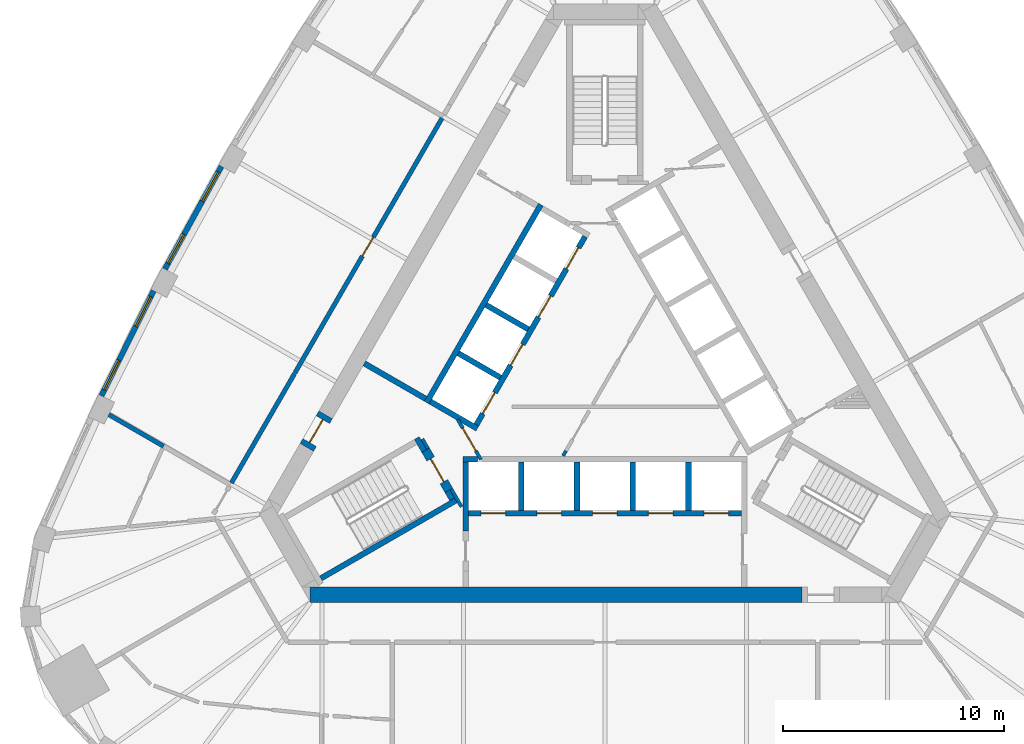
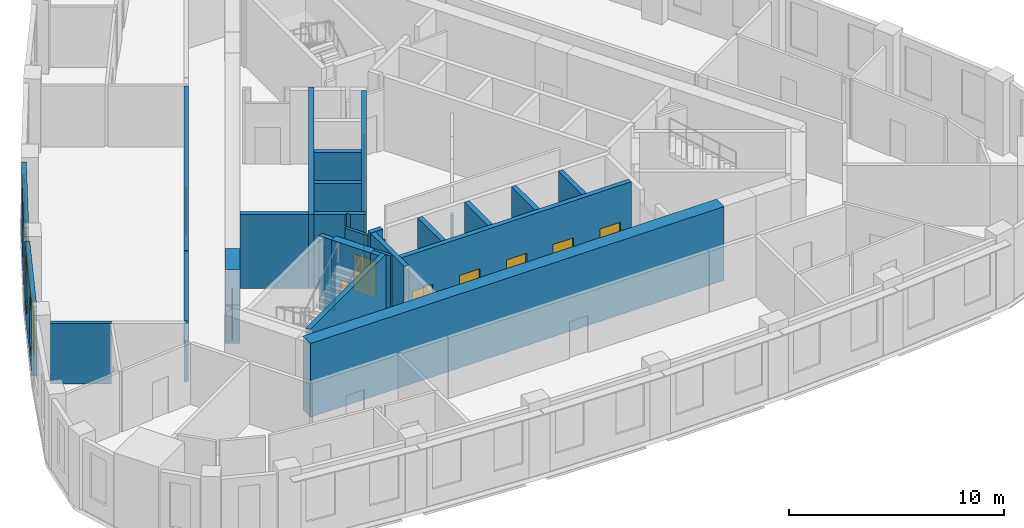
# One storey, part 4 of 10: 28 walls, 13 doors, 4 windows, 17 openings.
"""IFC4 building model written with IfcOpenShell, lengths in metres."""

import ifcopenshell
import ifcopenshell.guid

model = None  # the IFC model being written
_history = None  # IfcOwnerHistory: only IFC2X3 demands one
_inside = {}  # id of a spatial element -> (the spatial element, [elements in it])
_under = {}  # id of a project, library or spatial element -> (it, [spatial elements below it])
_declared = {}  # id of a project -> (the project, [libraries it declares])
_typed = {}  # id of a type object -> (the type object, [elements of that type])
_made_of = {}  # id of a material, layer set ... -> (it, [elements and type objects made of it])


def new_model(schema):
    """Start an empty IFC model of exactly this schema.

    Asked for "IFC4X3", IfcOpenShell would pick the latest addendum, in which some entities
    have other attributes; the version numbers below select the first issue.
    IFC2X3 requires an IfcOwnerHistory on every rooted entity: one is made here for all.
    """
    global model, _history
    if schema == "IFC4X3":
        model = ifcopenshell.file(schema_version=(4, 3, 0, 0))
    else:
        model = ifcopenshell.file(schema=schema)
    _inside.clear()
    _under.clear()
    _declared.clear()
    _typed.clear()
    _made_of.clear()
    _history = None
    if model.schema == "IFC2X3":
        org = make("IfcOrganization", Name="unknown")
        user = make(
            "IfcPersonAndOrganization",
            ThePerson=make("IfcPerson", FamilyName="unknown"),
            TheOrganization=org,
        )
        app = make(
            "IfcApplication",
            ApplicationDeveloper=org,
            Version="unknown",
            ApplicationFullName="unknown",
            ApplicationIdentifier="unknown",
        )
        _history = make(
            "IfcOwnerHistory",
            OwningUser=user,
            OwningApplication=app,
            ChangeAction="ADDED",
            CreationDate=0,
        )
    return model


def make(cls, **values):
    """One entity of the class cls with the attributes given. An attribute that is None is left unset."""
    return model.create_entity(
        cls, **{name: value for name, value in values.items() if value is not None}
    )


def rooted(cls, **values):
    """An entity with a GlobalId (a new one), such as an element, a storey or a relation."""
    return make(cls, GlobalId=ifcopenshell.guid.new(), OwnerHistory=_history, **values)


def si_unit(unit_type, name, prefix=None):
    """IfcSIUnit, for example si_unit("LENGTHUNIT", "METRE", prefix="MILLI")."""
    return make("IfcSIUnit", UnitType=unit_type, Prefix=prefix, Name=name)


def assignment(units):
    """IfcUnitAssignment: the units of a project."""
    return None if units is None else make("IfcUnitAssignment", Units=units)


def point(xyz):
    """IfcCartesianPoint."""
    return None if xyz is None else make("IfcCartesianPoint", Coordinates=xyz)


def direction(xyz):
    """IfcDirection."""
    return None if xyz is None else make("IfcDirection", DirectionRatios=xyz)


def frame(location, z_axis=None, x_axis=None):
    """IfcAxis2Placement3D, a coordinate frame: its origin and axes. An axis left out is left unset."""
    return make(
        "IfcAxis2Placement3D",
        Location=point(location),
        Axis=direction(z_axis),
        RefDirection=direction(x_axis),
    )


def frame_2d(location, x_axis=None):
    """IfcAxis2Placement2D, a coordinate frame in the plane: its origin and x axis."""
    return make(
        "IfcAxis2Placement2D", Location=point(location), RefDirection=direction(x_axis)
    )


def origin():
    """The frame at (0, 0, 0) with its axes left unset."""
    return frame((0.0, 0.0, 0.0))


def place(relative_to, where):
    """IfcLocalPlacement: puts the frame where relative to a parent placement (None: the world)."""
    return make(
        "IfcLocalPlacement", PlacementRelTo=relative_to, RelativePlacement=where
    )


def context(
    kind, dimensions, precision=None, world=None, true_north=None, identifier=None
):
    """IfcGeometricRepresentationContext, for example the 3D "Model" context."""
    return make(
        "IfcGeometricRepresentationContext",
        ContextIdentifier=identifier,
        ContextType=kind,
        CoordinateSpaceDimension=dimensions,
        Precision=precision,
        WorldCoordinateSystem=world,
        TrueNorth=true_north,
    )


def subcontext(parent, identifier, kind, view, scale=None):
    """IfcGeometricRepresentationSubContext, for example "Body" below "Model"."""
    return make(
        "IfcGeometricRepresentationSubContext",
        ContextIdentifier=identifier,
        ContextType=kind,
        ParentContext=parent,
        TargetScale=scale,
        TargetView=view,
    )


def project(units=None, contexts=None):
    """IfcProject with its units and contexts."""
    return rooted(
        "IfcProject",
        Name="project",
        RepresentationContexts=contexts,
        UnitsInContext=assignment(units),
    )


def spatial(cls, under=None, at=None, **own):
    """A site, building, storey or space (cls), placed at a placement, below another one or the project."""
    s = rooted(cls, ObjectPlacement=at, **own)
    if under is not None:
        _under.setdefault(under.id(), (under, []))[1].append(s)
    return s


def polyline(points):
    """IfcPolyline through the points."""
    return make("IfcPolyline", Points=[point(p) for p in points])


def profile(cls, at=None, kind="AREA", **sizes):
    """A parametric profile (cls). Its sizes go by their IFC names, for example OverallWidth=200.0."""
    return make(cls, ProfileType=kind, Position=at, **sizes)


def rectangle(**sizes):
    """IfcRectangleProfileDef."""
    return profile("IfcRectangleProfileDef", **sizes)


def outline(outer, holes=None, kind="AREA"):
    """IfcArbitraryClosedProfileDef: a profile drawn as a closed curve; with holes, ...WithVoids."""
    if holes is None:
        return make("IfcArbitraryClosedProfileDef", ProfileType=kind, OuterCurve=outer)
    return make(
        "IfcArbitraryProfileDefWithVoids",
        ProfileType=kind,
        OuterCurve=outer,
        InnerCurves=holes,
    )


def extrude(swept, where, along, depth):
    """IfcExtrudedAreaSolid: the profile swept, set in the frame where, extruded along a direction by depth."""
    return make(
        "IfcExtrudedAreaSolid",
        SweptArea=swept,
        Position=where,
        ExtrudedDirection=direction(along),
        Depth=depth,
    )


def shape(context_of_items, identifier, shape_type, items):
    """IfcShapeRepresentation: the items that make up one representation, for example the "Body"."""
    return make(
        "IfcShapeRepresentation",
        ContextOfItems=context_of_items,
        RepresentationIdentifier=identifier,
        RepresentationType=shape_type,
        Items=items,
    )


def material(Name=None, Category=None):
    """IfcMaterial."""
    return make("IfcMaterial", Name=Name, Category=Category)


def layer(
    of_material, thickness, ventilated=None, Name=None, Category=None, Priority=None
):
    """IfcMaterialLayer: one layer of a wall or slab, of a material (None: an air gap)."""
    return make(
        "IfcMaterialLayer",
        Material=of_material,
        LayerThickness=thickness,
        IsVentilated=ventilated,
        Name=Name,
        Category=Category,
        Priority=Priority,
    )


def layer_set(layers, Name=None):
    """IfcMaterialLayerSet."""
    return make("IfcMaterialLayerSet", MaterialLayers=layers, LayerSetName=Name)


def made_of(thing, what):
    """Note that an element or type object is made of a material, layer set ...; save() writes the relation."""
    if what is not None:
        _made_of.setdefault(what.id(), (what, []))[1].append(thing)
    return thing


def type_object(cls, material=None, **own):
    """A type object (cls), such as IfcWallType, which elements share."""
    return made_of(rooted(cls, **own), material)


def element(
    cls,
    number,
    at=None,
    inside=None,
    cuts=None,
    type_object=None,
    material=None,
    context=None,
    identifier="Body",
    shape_type=None,
    held_by="IfcProductDefinitionShape",
    body=None,
    shapes=None,
    **own,
):
    """One element of the class cls, such as IfcWall. Its Tag is "e" and its number.

    at: its placement. inside: the storey or other place that contains it. cuts: it is an
    opening in that element (IfcRelVoidsElement). A single representation is given by context,
    identifier, shape_type and body (its items); several are given by shapes. held_by: the class
    of the entity that holds the representations. save() writes the other relations.
    """
    e = rooted(cls, Tag="e%d" % number, ObjectPlacement=at, **own)
    if body is not None:
        shapes = [shape(context, identifier, shape_type, body)]
    if shapes is not None:
        e.Representation = make(held_by, Representations=shapes)
    if inside is not None:
        _inside.setdefault(inside.id(), (inside, []))[1].append(e)
    if cuts is not None:
        rooted(
            "IfcRelVoidsElement", RelatingBuildingElement=cuts, RelatedOpeningElement=e
        )
    if type_object is not None:
        _typed.setdefault(type_object.id(), (type_object, []))[1].append(e)
    return made_of(e, material)


def fill(opening, filler):
    """IfcRelFillsElement: the door or window that sits in an opening."""
    return rooted(
        "IfcRelFillsElement",
        RelatingOpeningElement=opening,
        RelatedBuildingElement=filler,
    )


def aggregate(whole, parts):
    """IfcRelAggregates: a whole, such as a stair, and the parts it consists of."""
    return rooted("IfcRelAggregates", RelatingObject=whole, RelatedObjects=parts)


def save(model, path):
    """Write the relations noted so far, then the file.

    IfcRelAggregates (storeys below a building ...), IfcRelContainedInSpatialStructure (elements
    in a storey), IfcRelDefinesByType, IfcRelAssociatesMaterial and IfcRelDeclares: one each for
    every whole, place, type object, material and project.
    """
    for whole, parts in _under.values():
        aggregate(whole, parts)
    for where, things in _inside.values():
        rooted(
            "IfcRelContainedInSpatialStructure",
            RelatedElements=things,
            RelatingStructure=where,
        )
    for kind, things in _typed.values():
        rooted("IfcRelDefinesByType", RelatedObjects=things, RelatingType=kind)
    for what, things in _made_of.values():
        rooted("IfcRelAssociatesMaterial", RelatedObjects=things, RelatingMaterial=what)
    for by, libraries in _declared.values():
        rooted("IfcRelDeclares", RelatingContext=by, RelatedDefinitions=libraries)
    model.write(path)


model = new_model("IFC4")

# Units and contexts
model_context = context("Model", 3, precision=1e-05, world=origin(), true_north=direction((0.0, 1.0)))
body_context = subcontext(model_context, "Body", "Model", "MODEL_VIEW")
ifc_project = project(units=[si_unit("LENGTHUNIT", "METRE"), si_unit("AREAUNIT", "SQUARE_METRE"), si_unit("VOLUMEUNIT", "CUBIC_METRE"), si_unit("PLANEANGLEUNIT", "RADIAN"), si_unit("MASSUNIT", "GRAM", prefix="KILO")], contexts=[model_context])

# Site, building, storey
site_placement = place(None, origin())
site = spatial("IfcSite", under=ifc_project, at=site_placement, CompositionType="ELEMENT")
building_placement = place(site_placement, origin())
building = spatial("IfcBuilding", under=site, at=building_placement, Name="Mestral Congress Tower", CompositionType="ELEMENT")
storey_placement = place(building_placement, frame((0.0, 0.0, 243.60009765625)))
storey = spatial("IfcBuildingStorey", under=building, at=storey_placement, Name="L57", CompositionType="ELEMENT", Elevation=243.60009765625)

# Walls
ifc_material_1 = material(Name="Fire-rated board partition")
ifc_layer_1 = layer(ifc_material_1, 0.14990234375)
ifc_layer_set_1 = layer_set([ifc_layer_1], Name="Fire-rated board partition")
wall_type_1 = type_object("IfcWallType", Name="Core partition 150", PredefinedType="PARTITIONING", material=ifc_layer_set_1)
wall_1_placement = place(storey_placement, frame((-8.251953125, -2.958251953125, 0.0), z_axis=(0.0, 0.0, 1.0), x_axis=(0.500174715838, -0.865924508047, 0.0)))
element("IfcWall", 1, at=wall_1_placement, inside=storey, type_object=wall_type_1, Name="L57 core wall", PredefinedType="PARTITIONING", context=body_context, shape_type="SweptSolid", body=[
    extrude(rectangle(XDim=0.513916015625, YDim=0.14990234375, at=frame_2d((0.2568359375, 0.0))), origin(), (0.0, 0.0, 1.0), 3.449951171875),
])
wall_2_placement = place(storey_placement, frame((-1.886962890625, -3.71826171875, 0.0), z_axis=(0.0, 0.0, 1.0), x_axis=(0.500165633897, 0.865929753888, 0.0)))
element("IfcWall", 2, at=wall_2_placement, inside=storey, type_object=wall_type_1, Name="L57 core wall", PredefinedType="PARTITIONING", context=body_context, shape_type="SweptSolid", body=[
    extrude(rectangle(XDim=0.25439453125, YDim=0.14990234375, at=frame_2d((0.127197265625, 0.0))), origin(), (0.0, 0.0, 1.0), 3.449951171875),
])

# Wall, opening, door
wall_3_placement = place(storey_placement, frame((-5.606201171875, -3.8896484375, 0.0), z_axis=(0.0, 0.0, 1.0), x_axis=(-0.500027713859, 0.866009402589, 0.0)))
wall_3 = element("IfcWall", 3, at=wall_3_placement, inside=storey, type_object=wall_type_1, Name="L57 door wall", PredefinedType="PARTITIONING", context=body_context, shape_type="SweptSolid", body=[
    extrude(rectangle(XDim=2.10009765625, YDim=0.14990234375, at=frame_2d((1.050048828125, 0.0))), origin(), (0.0, 0.0, 1.0), 3.449951171875),
])
opening_1_placement = place(wall_3_placement, frame((0.449951171875, 0.0, 0.0)))
opening_1 = element("IfcOpeningElement", 4, at=opening_1_placement, cuts=wall_3, Name="Opening CD3-FF", PredefinedType="OPENING", context=body_context, shape_type="SweptSolid", body=[
    extrude(rectangle(XDim=1.199951171875, YDim=2.10009765625, at=frame_2d((0.60009765625, 1.050048828125))), frame((0.0, 0.0849609375, 0.0), z_axis=(0.0, -1.0, 0.0), x_axis=(1.0, 0.0, 0.0)), (0.0, 0.0, 1.0), 0.169921875),
])
ifc_material_2 = material(Name="Fire-rated steel door set", Category="steel")
door_type_1 = type_object("IfcDoorType", Name="Core door CD 1200x2100", OperationType="SINGLE_SWING_LEFT", PredefinedType="DOOR", material=ifc_material_2)
door_1_placement = place(opening_1_placement, origin())
door_1 = element("IfcDoor", 5, at=door_1_placement, inside=storey, type_object=door_type_1, Name="Door CD3-FF", OperationType="SINGLE_SWING_LEFT", OverallHeight=2.10009765625, OverallWidth=1.199951171875, PredefinedType="DOOR", context=body_context, shape_type="SweptSolid", body=[
    extrude(rectangle(XDim=1.199951171875, YDim=2.10009765625, at=frame_2d((0.60009765625, 1.050048828125))), frame((0.0, 0.02490234375, 0.0), z_axis=(0.0, -1.0, 0.0), x_axis=(1.0, 0.0, 0.0)), (0.0, 0.0, 1.0), 0.050048828125),
])
fill(opening_1, door_1)

# Wall
ifc_material_3 = material(Name="Concrete C60/75", Category="concrete")
ifc_layer_2 = layer(ifc_material_3, 0.699951171875)
ifc_layer_set_2 = layer_set([ifc_layer_2], Name="Concrete C60/75")
wall_type_2 = type_object("IfcWallType", Name="Core wall RC 700", PredefinedType="SOLIDWALL", material=ifc_layer_set_2)
wall_4_placement = place(storey_placement, frame((8.904296875, -10.0, 0.0), z_axis=(0.0, 0.0, 1.0), x_axis=(-1.0, 0.0, 0.0)))
element("IfcWall", 6, at=wall_4_placement, inside=storey, type_object=wall_type_2, Name="L57 core wall", PredefinedType="SOLIDWALL", context=body_context, shape_type="SweptSolid", body=[
    extrude(rectangle(XDim=22.226318359375, YDim=0.699951171875, at=frame_2d((11.11328125, 0.0))), origin(), (0.0, 0.0, 1.0), 4.199951171875),
])

# Wall, opening, door
wall_5_placement = place(storey_placement, frame((-13.474853515625, -3.339111328125, 0.0), z_axis=(0.0, 0.0, 1.0), x_axis=(0.499954529098, 0.86605165483, 0.0)))
wall_5 = element("IfcWall", 7, at=wall_5_placement, inside=storey, type_object=wall_type_2, Name="L57 door wall", PredefinedType="SOLIDWALL", context=body_context, shape_type="SweptSolid", body=[
    extrude(rectangle(XDim=1.699951171875, YDim=0.699951171875, at=frame_2d((0.85009765625, 0.0))), origin(), (0.0, 0.0, 1.0), 4.199951171875),
])
opening_2_placement = place(wall_5_placement, frame((0.25, 0.0, 0.0)))
opening_2 = element("IfcOpeningElement", 8, at=opening_2_placement, cuts=wall_5, Name="Opening XD3", PredefinedType="OPENING", context=body_context, shape_type="SweptSolid", body=[
    extrude(rectangle(XDim=1.199951171875, YDim=2.10009765625, at=frame_2d((0.60009765625, 1.050048828125))), frame((0.0, 0.35986328125, 0.0), z_axis=(0.0, -1.0, 0.0), x_axis=(1.0, 0.0, 0.0)), (0.0, 0.0, 1.0), 0.719970703125),
])
door_type_2 = type_object("IfcDoorType", Name="Core door XD 1200x2100", OperationType="SINGLE_SWING_LEFT", PredefinedType="DOOR", material=ifc_material_2)
door_2_placement = place(opening_2_placement, origin())
door_2 = element("IfcDoor", 9, at=door_2_placement, inside=storey, type_object=door_type_2, Name="Door XD3", OperationType="SINGLE_SWING_LEFT", OverallHeight=2.10009765625, OverallWidth=1.199951171875, PredefinedType="DOOR", context=body_context, shape_type="SweptSolid", body=[
    extrude(rectangle(XDim=1.199951171875, YDim=2.10009765625, at=frame_2d((0.60009765625, 1.050048828125))), frame((0.0, 0.02490234375, 0.0), z_axis=(0.0, -1.0, 0.0), x_axis=(1.0, 0.0, 0.0)), (0.0, 0.0, 1.0), 0.050048828125),
])
fill(opening_2, door_2)

# Wall, openings, windows
ifc_material_4 = material(Name="Precast concrete C40/50 with limestone facing", Category="masonry")
ifc_layer_3 = layer(ifc_material_4, 0.239990234375)
ifc_layer_set_3 = layer_set([ifc_layer_3], Name="Precast concrete C40/50 with limestone facing")
wall_type_3 = type_object("IfcWallType", Name="Facade stone wall 240", PredefinedType="SOLIDWALL", material=ifc_layer_set_3)
wall_6_placement = place(storey_placement, frame((-17.338134765625, 9.367919921875, 0.0), z_axis=(0.0, 0.0, 1.0), x_axis=(-0.481925825015, -0.876212017256, 0.0)))
wall_6 = element("IfcWall", 10, at=wall_6_placement, inside=storey, type_object=wall_type_3, Name="Facade wall F2-03", PredefinedType="SOLIDWALL", context=body_context, shape_type="SweptSolid", body=[
    extrude(rectangle(XDim=5.298583984375, YDim=0.239990234375, at=frame_2d((2.6494140625, 0.0))), origin(), (0.0, 0.0, 1.0), 3.949951171875),
])
opening_3_placement = place(wall_6_placement, frame((0.294677734375, 0.0, 0.89990234375)))
opening_3 = element("IfcOpeningElement", 11, at=opening_3_placement, cuts=wall_6, Name="Opening W4", PredefinedType="OPENING", context=body_context, shape_type="SweptSolid", body=[
    extrude(rectangle(XDim=1.5, YDim=2.550048828125, at=frame_2d((0.75, 1.27490234375))), frame((0.0, 0.1298828125, 0.0), z_axis=(0.0, -1.0, 0.0), x_axis=(1.0, 0.0, 0.0)), (0.0, 0.0, 1.0), 0.260009765625),
])
opening_4_placement = place(wall_6_placement, frame((3.503662109375, 0.0, 0.89990234375)))
opening_4 = element("IfcOpeningElement", 12, at=opening_4_placement, cuts=wall_6, Name="Opening W4", PredefinedType="OPENING", context=body_context, shape_type="SweptSolid", body=[
    extrude(rectangle(XDim=1.5, YDim=2.550048828125, at=frame_2d((0.75, 1.27490234375))), frame((0.0, 0.1298828125, 0.0), z_axis=(0.0, -1.0, 0.0), x_axis=(1.0, 0.0, 0.0)), (0.0, 0.0, 1.0), 0.260009765625),
])
ifc_material_5 = material(Name="Clear low-emissivity double glazing", Category="glass")
window_type = type_object("IfcWindowType", Name="Facade punched window 1500 x 2550 sill 900", PartitioningType="SINGLE_PANEL", PredefinedType="WINDOW", material=ifc_material_5)
window_1_placement = place(opening_3_placement, origin())
window_1 = element("IfcWindow", 13, at=window_1_placement, inside=storey, type_object=window_type, Name="Window F2-03a", OverallHeight=2.550048828125, OverallWidth=1.5, PartitioningType="SINGLE_PANEL", PredefinedType="WINDOW", context=body_context, shape_type="SweptSolid", body=[
    extrude(rectangle(XDim=1.5, YDim=2.550048828125, at=frame_2d((0.75, 1.27490234375))), frame((0.0, 0.0400390625, 0.0), z_axis=(0.0, -1.0, 0.0), x_axis=(1.0, 0.0, 0.0)), (0.0, 0.0, 1.0), 0.06005859375),
])
fill(opening_3, window_1)
window_2_placement = place(opening_4_placement, origin())
window_2 = element("IfcWindow", 14, at=window_2_placement, inside=storey, type_object=window_type, Name="Window F2-03b", OverallHeight=2.550048828125, OverallWidth=1.5, PartitioningType="SINGLE_PANEL", PredefinedType="WINDOW", context=body_context, shape_type="SweptSolid", body=[
    extrude(rectangle(XDim=1.5, YDim=2.550048828125, at=frame_2d((0.75, 1.27490234375))), frame((0.0, 0.0400390625, 0.0), z_axis=(0.0, -1.0, 0.0), x_axis=(1.0, 0.0, 0.0)), (0.0, 0.0, 1.0), 0.06005859375),
])
fill(opening_4, window_2)

wall_7_placement = place(storey_placement, frame((-20.407470703125, 3.739501953125, 0.0), z_axis=(0.0, 0.0, 1.0), x_axis=(-0.445129582031, -0.895466166419, 0.0)))
wall_7 = element("IfcWall", 15, at=wall_7_placement, inside=storey, type_object=wall_type_3, Name="Facade wall F2-04", PredefinedType="SOLIDWALL", context=body_context, shape_type="SweptSolid", body=[
    extrude(rectangle(XDim=5.29833984375, YDim=0.239990234375, at=frame_2d((2.649169921875, 0.0))), origin(), (0.0, 0.0, 1.0), 3.949951171875),
])
opening_5_placement = place(wall_7_placement, frame((0.294677734375, 0.0, 0.89990234375)))
opening_5 = element("IfcOpeningElement", 16, at=opening_5_placement, cuts=wall_7, Name="Opening W4", PredefinedType="OPENING", context=body_context, shape_type="SweptSolid", body=[
    extrude(rectangle(XDim=1.5, YDim=2.550048828125, at=frame_2d((0.75, 1.27490234375))), frame((0.0, 0.1298828125, 0.0), z_axis=(0.0, -1.0, 0.0), x_axis=(1.0, 0.0, 0.0)), (0.0, 0.0, 1.0), 0.260009765625),
])
opening_6_placement = place(wall_7_placement, frame((3.503662109375, 0.0, 0.89990234375)))
opening_6 = element("IfcOpeningElement", 17, at=opening_6_placement, cuts=wall_7, Name="Opening W4", PredefinedType="OPENING", context=body_context, shape_type="SweptSolid", body=[
    extrude(rectangle(XDim=1.5, YDim=2.550048828125, at=frame_2d((0.75, 1.27490234375))), frame((0.0, 0.1298828125, 0.0), z_axis=(0.0, -1.0, 0.0), x_axis=(1.0, 0.0, 0.0)), (0.0, 0.0, 1.0), 0.260009765625),
])
window_3_placement = place(opening_5_placement, origin())
window_3 = element("IfcWindow", 18, at=window_3_placement, inside=storey, type_object=window_type, Name="Window F2-04a", OverallHeight=2.550048828125, OverallWidth=1.5, PartitioningType="SINGLE_PANEL", PredefinedType="WINDOW", context=body_context, shape_type="SweptSolid", body=[
    extrude(rectangle(XDim=1.5, YDim=2.550048828125, at=frame_2d((0.75, 1.27490234375))), frame((0.0, 0.0400390625, 0.0), z_axis=(0.0, -1.0, 0.0), x_axis=(1.0, 0.0, 0.0)), (0.0, 0.0, 1.0), 0.06005859375),
])
fill(opening_5, window_3)
window_4_placement = place(opening_6_placement, origin())
window_4 = element("IfcWindow", 19, at=window_4_placement, inside=storey, type_object=window_type, Name="Window F2-04b", OverallHeight=2.550048828125, OverallWidth=1.5, PartitioningType="SINGLE_PANEL", PredefinedType="WINDOW", context=body_context, shape_type="SweptSolid", body=[
    extrude(rectangle(XDim=1.5, YDim=2.550048828125, at=frame_2d((0.75, 1.27490234375))), frame((0.0, 0.0400390625, 0.0), z_axis=(0.0, -1.0, 0.0), x_axis=(1.0, 0.0, 0.0)), (0.0, 0.0, 1.0), 0.06005859375),
])
fill(opening_6, window_4)

# Wall
ifc_material_6 = material(Name="Dense masonry wall, plastered", Category="masonry")
ifc_layer_4 = layer(ifc_material_6, 0.199951171875)
ifc_layer_set_4 = layer_set([ifc_layer_4], Name="Dense masonry wall, plastered")
wall_type_4 = type_object("IfcWallType", Name="Office tenancy wall 200", PredefinedType="PARTITIONING", material=ifc_layer_set_4)
wall_8_placement = place(storey_placement, frame((-19.950927734375, -3.28759765625, 0.0), z_axis=(0.0, 0.0, 1.0), x_axis=(-0.866044908516, 0.499966215292, 0.0)))
element("IfcWall", 20, at=wall_8_placement, inside=storey, type_object=wall_type_4, Name="Tenancy wall", PredefinedType="PARTITIONING", context=body_context, shape_type="SweptSolid", body=[
    extrude(rectangle(XDim=2.861083984375, YDim=0.199951171875, at=frame_2d((1.4306640625, 0.0))), origin(), (0.0, 0.0, 1.0), 3.449951171875),
])

# Wall, opening, door
wall_9_placement = place(storey_placement, frame((-7.36376953125, 11.54541015625, 0.0), z_axis=(0.0, 0.0, 1.0), x_axis=(-0.500001759768, -0.86602438778, 0.0)))
wall_9 = element("IfcWall", 21, at=wall_9_placement, inside=storey, type_object=wall_type_4, Name="Tenancy wall", PredefinedType="PARTITIONING", context=body_context, shape_type="SweptSolid", body=[
    extrude(rectangle(XDim=13.31689453125, YDim=0.199951171875, at=frame_2d((6.658447265625, 0.0))), origin(), (0.0, 0.0, 1.0), 3.449951171875),
])
opening_7_placement = place(wall_9_placement, frame((6.199951171875, 0.0, 0.0)))
opening_7 = element("IfcOpeningElement", 22, at=opening_7_placement, cuts=wall_9, Name="Opening O09-015", PredefinedType="OPENING", context=body_context, shape_type="SweptSolid", body=[
    extrude(rectangle(XDim=1.0, YDim=2.10009765625, at=frame_2d((0.5, 1.050048828125))), frame((0.0, 0.10986328125, 0.0), z_axis=(0.0, -1.0, 0.0), x_axis=(1.0, 0.0, 0.0)), (0.0, 0.0, 1.0), 0.219970703125),
])
ifc_material_7 = material(Name="Fire-rated timber door set", Category="wood")
door_type_3 = type_object("IfcDoorType", Name="Office tenancy entrance door 1000x2100", OperationType="SINGLE_SWING_LEFT", PredefinedType="DOOR", material=ifc_material_7)
door_3_placement = place(opening_7_placement, origin())
door_3 = element("IfcDoor", 23, at=door_3_placement, inside=storey, type_object=door_type_3, Name="Door O09-015", OperationType="SINGLE_SWING_RIGHT", OverallHeight=2.10009765625, OverallWidth=1.0, PredefinedType="DOOR", context=body_context, shape_type="SweptSolid", body=[
    extrude(rectangle(XDim=1.0, YDim=2.10009765625, at=frame_2d((0.5, 1.050048828125))), frame((0.0, 0.02490234375, 0.0), z_axis=(0.0, -1.0, 0.0), x_axis=(1.0, 0.0, 0.0)), (0.0, 0.0, 1.0), 0.050048828125),
])
fill(opening_7, door_3)

# Walls
wall_10_placement = place(storey_placement, frame((-14.037109375, -0.01318359375, 0.0), z_axis=(0.0, 0.0, 1.0), x_axis=(-0.500018205831, -0.866014892388, 0.0)))
element("IfcWall", 24, at=wall_10_placement, inside=storey, type_object=wall_type_4, Name="Tenancy wall", PredefinedType="PARTITIONING", context=body_context, shape_type="SweptSolid", body=[
    extrude(rectangle(XDim=5.692626953125, YDim=0.199951171875, at=frame_2d((2.84619140625, 0.0))), origin(), (0.0, 0.0, 1.0), 3.449951171875),
])
ifc_layer_5 = layer(ifc_material_3, 0.25)
ifc_layer_set_5 = layer_set([ifc_layer_5], Name="Concrete C60/75")
wall_type_5 = type_object("IfcWallType", Name="Shaft wall RC 250", PredefinedType="SOLIDWALL", material=ifc_layer_set_5)
wall_11_placement = place(storey_placement, frame((-6.425048828125, -3.875, 0.0), z_axis=(0.0, 0.0, 1.0), x_axis=(1.0, 0.0, 0.0)))
element("IfcWall", 25, at=wall_11_placement, inside=storey, type_object=wall_type_5, Name="L57 core wall", PredefinedType="SOLIDWALL", context=body_context, shape_type="SweptSolid", body=[
    extrude(rectangle(XDim=0.657958984375, YDim=0.25, at=frame_2d((0.3291015625, 0.0))), origin(), (0.0, 0.0, 1.0), 4.199951171875),
])
for number, where, z_axis, x_axis, name in (
    (26, (3.780029296875, -4.0, 0.0), (0.0, 0.0, 1.0), (0.0, -1.0, 0.0), "L57 core wall"),
    (27, (1.260009765625, -4.0, 0.0), (0.0, 0.0, 1.0), (0.0, -1.0, 0.0), "L57 core wall"),
    (28, (-1.260009765625, -4.0, 0.0), (0.0, 0.0, 1.0), (0.0, -1.0, 0.0), "L57 core wall"),
    (29, (-3.780029296875, -4.0, 0.0), (0.0, 0.0, 1.0), (0.0, -1.0, 0.0), "L57 core wall"),
):
    element("IfcWall", number, at=place(storey_placement, frame(where, z_axis=z_axis, x_axis=x_axis)), inside=storey, type_object=wall_type_5, Name=name, PredefinedType="SOLIDWALL", context=body_context, shape_type="SweptSolid", body=[
        extrude(rectangle(XDim=2.199951171875, YDim=0.25, at=frame_2d((1.10009765625, 0.0))), origin(), (0.0, 0.0, 1.0), 4.199951171875),
    ])
wall_12_placement = place(storey_placement, frame((-6.300048828125, -7.12451171875, 0.0), z_axis=(0.0, 0.0, 1.0), x_axis=(0.0, 1.0, 0.0)))
element("IfcWall", 30, at=wall_12_placement, inside=storey, type_object=wall_type_5, Name="L57 core wall", PredefinedType="SOLIDWALL", context=body_context, shape_type="SweptSolid", body=[
    extrude(rectangle(XDim=3.12451171875, YDim=0.25, at=frame_2d((1.562255859375, 0.0))), origin(), (0.0, 0.0, 1.0), 4.199951171875),
])
wall_13_placement = place(storey_placement, frame((-8.06005859375, -1.310546875, 0.0), z_axis=(0.0, 0.0, 1.0), x_axis=(0.50000273126, 0.866023826885, 0.0)))
element("IfcWall", 31, at=wall_13_placement, inside=storey, type_object=wall_type_5, Name="L57 core wall", PredefinedType="SOLIDWALL", context=body_context, shape_type="SweptSolid", body=[
    extrude(rectangle(XDim=10.330078125, YDim=0.25, at=frame_2d((5.1650390625, 0.0))), origin(), (0.0, 0.0, 1.0), 4.199951171875),
])
for number, where, z_axis, x_axis, name in (
    (32, (-5.369384765625, 3.10009765625, 0.0), (0.0, 0.0, 1.0), (0.866008176907, -0.50002983664, 0.0), "L57 core wall"),
    (33, (-4.72412109375, -0.182373046875, 0.0), (0.0, 0.0, 1.0), (-0.866008176907, 0.50002983664, 0.0), "L57 core wall"),
):
    element("IfcWall", number, at=place(storey_placement, frame(where, z_axis=z_axis, x_axis=x_axis)), inside=storey, type_object=wall_type_5, Name=name, PredefinedType="SOLIDWALL", context=body_context, shape_type="SweptSolid", body=[
        extrude(rectangle(XDim=2.199951171875, YDim=0.25, at=frame_2d((1.10009765625, 0.0))), origin(), (0.0, 0.0, 1.0), 4.199951171875),
    ])
wall_14_placement = place(storey_placement, origin())
element("IfcWall", 34, at=wall_14_placement, inside=storey, type_object=wall_type_5, Name="L57 core wall", PredefinedType="SOLIDWALL", context=body_context, shape_type="SweptSolid", body=[
    extrude(outline(polyline([(-5.921630859375, -2.256591796875), (-5.921630859375, -2.256591796875), (-5.705078125, -2.381591796875), (-5.830078125, -2.597900390625), (-6.48291015625, -2.22119140625), (-6.59130859375, -2.033447265625), (-6.59130859375, -2.033447265625), (-6.69970703125, -2.095947265625), (-7.951904296875, -1.373046875), (-7.826904296875, -1.156494140625), (-5.921630859375, -2.256591796875)])), origin(), (0.0, 0.0, 1.0), 4.199951171875),
])
wall_15_placement = place(storey_placement, frame((-8.10595703125, -1.139892578125, 0.0), z_axis=(0.0, 0.0, 1.0), x_axis=(-0.866008981251, 0.500028443584, 0.0)))
element("IfcWall", 35, at=wall_15_placement, inside=storey, type_object=wall_type_5, Name="L57 core wall", PredefinedType="SOLIDWALL", context=body_context, shape_type="SweptSolid", body=[
    extrude(rectangle(XDim=3.199951171875, YDim=0.25, at=frame_2d((1.60009765625, 0.0))), origin(), (0.0, 0.0, 1.0), 4.199951171875),
])

# Wall, openings, doors
wall_16_placement = place(storey_placement, frame((-6.175048828125, -6.324951171875, 0.0), z_axis=(0.0, 0.0, 1.0), x_axis=(1.0, 0.0, 0.0)))
wall_16 = element("IfcWall", 36, at=wall_16_placement, inside=storey, type_object=wall_type_5, Name="L57 door wall", PredefinedType="SOLIDWALL", context=body_context, shape_type="SweptSolid", body=[
    extrude(rectangle(XDim=12.35009765625, YDim=0.25, at=frame_2d((6.175048828125, 0.0))), origin(), (0.0, 0.0, 1.0), 4.199951171875),
])
opening_8_placement = place(wall_16_placement, frame((0.5849609375, 0.0, 0.0)))
opening_8 = element("IfcOpeningElement", 37, at=opening_8_placement, cuts=wall_16, Name="Opening LD-SOB1", PredefinedType="OPENING", context=body_context, shape_type="SweptSolid", body=[
    extrude(rectangle(XDim=1.10009765625, YDim=2.10009765625, at=frame_2d((0.550048828125, 1.050048828125))), frame((0.0, 0.135009765625, 0.0), z_axis=(0.0, -1.0, 0.0), x_axis=(1.0, 0.0, 0.0)), (0.0, 0.0, 1.0), 0.27001953125),
])
opening_9_placement = place(wall_16_placement, frame((3.10498046875, 0.0, 0.0)))
opening_9 = element("IfcOpeningElement", 38, at=opening_9_placement, cuts=wall_16, Name="Opening LD-SOB2", PredefinedType="OPENING", context=body_context, shape_type="SweptSolid", body=[
    extrude(rectangle(XDim=1.10009765625, YDim=2.10009765625, at=frame_2d((0.550048828125, 1.050048828125))), frame((0.0, 0.135009765625, 0.0), z_axis=(0.0, -1.0, 0.0), x_axis=(1.0, 0.0, 0.0)), (0.0, 0.0, 1.0), 0.27001953125),
])
opening_10_placement = place(wall_16_placement, frame((5.625, 0.0, 0.0)))
opening_10 = element("IfcOpeningElement", 39, at=opening_10_placement, cuts=wall_16, Name="Opening LD-SOB3", PredefinedType="OPENING", context=body_context, shape_type="SweptSolid", body=[
    extrude(rectangle(XDim=1.10009765625, YDim=2.10009765625, at=frame_2d((0.550048828125, 1.050048828125))), frame((0.0, 0.135009765625, 0.0), z_axis=(0.0, -1.0, 0.0), x_axis=(1.0, 0.0, 0.0)), (0.0, 0.0, 1.0), 0.27001953125),
])
opening_11_placement = place(wall_16_placement, frame((8.14501953125, 0.0, 0.0)))
opening_11 = element("IfcOpeningElement", 40, at=opening_11_placement, cuts=wall_16, Name="Opening LD-SOB4", PredefinedType="OPENING", context=body_context, shape_type="SweptSolid", body=[
    extrude(rectangle(XDim=1.10009765625, YDim=2.10009765625, at=frame_2d((0.550048828125, 1.050048828125))), frame((0.0, 0.135009765625, 0.0), z_axis=(0.0, -1.0, 0.0), x_axis=(1.0, 0.0, 0.0)), (0.0, 0.0, 1.0), 0.27001953125),
])
opening_12_placement = place(wall_16_placement, frame((10.6650390625, 0.0, 0.0)))
opening_12 = element("IfcOpeningElement", 41, at=opening_12_placement, cuts=wall_16, Name="Opening LD-SOB5", PredefinedType="OPENING", context=body_context, shape_type="SweptSolid", body=[
    extrude(rectangle(XDim=1.10009765625, YDim=2.10009765625, at=frame_2d((0.550048828125, 1.050048828125))), frame((0.0, 0.135009765625, 0.0), z_axis=(0.0, -1.0, 0.0), x_axis=(1.0, 0.0, 0.0)), (0.0, 0.0, 1.0), 0.27001953125),
])
door_type_4 = type_object("IfcDoorType", Name="Core door LD 1100x2100", OperationType="DOUBLE_DOOR_SLIDING", PredefinedType="DOOR", material=ifc_material_2)
door_4_placement = place(opening_8_placement, origin())
door_4 = element("IfcDoor", 42, at=door_4_placement, inside=storey, type_object=door_type_4, Name="Door LD-SOB1", OperationType="DOUBLE_DOOR_SLIDING", OverallHeight=2.10009765625, OverallWidth=1.10009765625, PredefinedType="DOOR", context=body_context, shape_type="SweptSolid", body=[
    extrude(rectangle(XDim=1.10009765625, YDim=2.10009765625, at=frame_2d((0.550048828125, 1.050048828125))), frame((0.0, 0.02490234375, 0.0), z_axis=(0.0, -1.0, 0.0), x_axis=(1.0, 0.0, 0.0)), (0.0, 0.0, 1.0), 0.050048828125),
])
fill(opening_8, door_4)
door_5_placement = place(opening_9_placement, origin())
door_5 = element("IfcDoor", 43, at=door_5_placement, inside=storey, type_object=door_type_4, Name="Door LD-SOB2", OperationType="DOUBLE_DOOR_SLIDING", OverallHeight=2.10009765625, OverallWidth=1.10009765625, PredefinedType="DOOR", context=body_context, shape_type="SweptSolid", body=[
    extrude(rectangle(XDim=1.10009765625, YDim=2.10009765625, at=frame_2d((0.550048828125, 1.050048828125))), frame((0.0, 0.02490234375, 0.0), z_axis=(0.0, -1.0, 0.0), x_axis=(1.0, 0.0, 0.0)), (0.0, 0.0, 1.0), 0.050048828125),
])
fill(opening_9, door_5)
door_6_placement = place(opening_10_placement, origin())
door_6 = element("IfcDoor", 44, at=door_6_placement, inside=storey, type_object=door_type_4, Name="Door LD-SOB3", OperationType="DOUBLE_DOOR_SLIDING", OverallHeight=2.10009765625, OverallWidth=1.10009765625, PredefinedType="DOOR", context=body_context, shape_type="SweptSolid", body=[
    extrude(rectangle(XDim=1.10009765625, YDim=2.10009765625, at=frame_2d((0.550048828125, 1.050048828125))), frame((0.0, 0.02490234375, 0.0), z_axis=(0.0, -1.0, 0.0), x_axis=(1.0, 0.0, 0.0)), (0.0, 0.0, 1.0), 0.050048828125),
])
fill(opening_10, door_6)
door_7_placement = place(opening_11_placement, origin())
door_7 = element("IfcDoor", 45, at=door_7_placement, inside=storey, type_object=door_type_4, Name="Door LD-SOB4", OperationType="DOUBLE_DOOR_SLIDING", OverallHeight=2.10009765625, OverallWidth=1.10009765625, PredefinedType="DOOR", context=body_context, shape_type="SweptSolid", body=[
    extrude(rectangle(XDim=1.10009765625, YDim=2.10009765625, at=frame_2d((0.550048828125, 1.050048828125))), frame((0.0, 0.02490234375, 0.0), z_axis=(0.0, -1.0, 0.0), x_axis=(1.0, 0.0, 0.0)), (0.0, 0.0, 1.0), 0.050048828125),
])
fill(opening_11, door_7)
door_8_placement = place(opening_12_placement, origin())
door_8 = element("IfcDoor", 46, at=door_8_placement, inside=storey, type_object=door_type_4, Name="Door LD-SOB5", OperationType="DOUBLE_DOOR_SLIDING", OverallHeight=2.10009765625, OverallWidth=1.10009765625, PredefinedType="DOOR", context=body_context, shape_type="SweptSolid", body=[
    extrude(rectangle(XDim=1.10009765625, YDim=2.10009765625, at=frame_2d((0.550048828125, 1.050048828125))), frame((0.0, 0.02490234375, 0.0), z_axis=(0.0, -1.0, 0.0), x_axis=(1.0, 0.0, 0.0)), (0.0, 0.0, 1.0), 0.050048828125),
])
fill(opening_12, door_8)

wall_17_placement = place(storey_placement, frame((-0.898193359375, 6.194091796875, 0.0), z_axis=(0.0, 0.0, 1.0), x_axis=(-0.499996202215, -0.866027596426, 0.0)))
wall_17 = element("IfcWall", 47, at=wall_17_placement, inside=storey, type_object=wall_type_5, Name="L57 door wall", PredefinedType="SOLIDWALL", context=body_context, shape_type="SweptSolid", body=[
    extrude(rectangle(XDim=9.830078125, YDim=0.25, at=frame_2d((4.9150390625, 0.0))), origin(), (0.0, 0.0, 1.0), 4.199951171875),
])
opening_13_placement = place(wall_17_placement, frame((0.5849609375, 0.0, 0.0)))
opening_13 = element("IfcOpeningElement", 48, at=opening_13_placement, cuts=wall_17, Name="Opening LD-NWB1", PredefinedType="OPENING", context=body_context, shape_type="SweptSolid", body=[
    extrude(rectangle(XDim=1.10009765625, YDim=2.10009765625, at=frame_2d((0.550048828125, 1.050048828125))), frame((0.0, 0.135009765625, 0.0), z_axis=(0.0, -1.0, 0.0), x_axis=(1.0, 0.0, 0.0)), (0.0, 0.0, 1.0), 0.27001953125),
])
opening_14_placement = place(wall_17_placement, frame((3.10498046875, 0.0, 0.0)))
opening_14 = element("IfcOpeningElement", 49, at=opening_14_placement, cuts=wall_17, Name="Opening LD-NWB2", PredefinedType="OPENING", context=body_context, shape_type="SweptSolid", body=[
    extrude(rectangle(XDim=1.10009765625, YDim=2.10009765625, at=frame_2d((0.550048828125, 1.050048828125))), frame((0.0, 0.135009765625, 0.0), z_axis=(0.0, -1.0, 0.0), x_axis=(1.0, 0.0, 0.0)), (0.0, 0.0, 1.0), 0.27001953125),
])
opening_15_placement = place(wall_17_placement, frame((5.625, 0.0, 0.0)))
opening_15 = element("IfcOpeningElement", 50, at=opening_15_placement, cuts=wall_17, Name="Opening LD-NWB3", PredefinedType="OPENING", context=body_context, shape_type="SweptSolid", body=[
    extrude(rectangle(XDim=1.10009765625, YDim=2.10009765625, at=frame_2d((0.550048828125, 1.050048828125))), frame((0.0, 0.135009765625, 0.0), z_axis=(0.0, -1.0, 0.0), x_axis=(1.0, 0.0, 0.0)), (0.0, 0.0, 1.0), 0.27001953125),
])
opening_16_placement = place(wall_17_placement, frame((8.14501953125, 0.0, 0.0)))
opening_16 = element("IfcOpeningElement", 51, at=opening_16_placement, cuts=wall_17, Name="Opening LD-NWB4", PredefinedType="OPENING", context=body_context, shape_type="SweptSolid", body=[
    extrude(rectangle(XDim=1.10009765625, YDim=2.10009765625, at=frame_2d((0.550048828125, 1.050048828125))), frame((0.0, 0.135009765625, 0.0), z_axis=(0.0, -1.0, 0.0), x_axis=(1.0, 0.0, 0.0)), (0.0, 0.0, 1.0), 0.27001953125),
])
door_9_placement = place(opening_13_placement, origin())
door_9 = element("IfcDoor", 52, at=door_9_placement, inside=storey, type_object=door_type_4, Name="Door LD-NWB1", OperationType="DOUBLE_DOOR_SLIDING", OverallHeight=2.10009765625, OverallWidth=1.10009765625, PredefinedType="DOOR", context=body_context, shape_type="SweptSolid", body=[
    extrude(rectangle(XDim=1.10009765625, YDim=2.10009765625, at=frame_2d((0.550048828125, 1.050048828125))), frame((0.0, 0.02490234375, 0.0), z_axis=(0.0, -1.0, 0.0), x_axis=(1.0, 0.0, 0.0)), (0.0, 0.0, 1.0), 0.050048828125),
])
fill(opening_13, door_9)
door_10_placement = place(opening_14_placement, origin())
door_10 = element("IfcDoor", 53, at=door_10_placement, inside=storey, type_object=door_type_4, Name="Door LD-NWB2", OperationType="DOUBLE_DOOR_SLIDING", OverallHeight=2.10009765625, OverallWidth=1.10009765625, PredefinedType="DOOR", context=body_context, shape_type="SweptSolid", body=[
    extrude(rectangle(XDim=1.10009765625, YDim=2.10009765625, at=frame_2d((0.550048828125, 1.050048828125))), frame((0.0, 0.02490234375, 0.0), z_axis=(0.0, -1.0, 0.0), x_axis=(1.0, 0.0, 0.0)), (0.0, 0.0, 1.0), 0.050048828125),
])
fill(opening_14, door_10)
door_11_placement = place(opening_15_placement, origin())
door_11 = element("IfcDoor", 54, at=door_11_placement, inside=storey, type_object=door_type_4, Name="Door LD-NWB3", OperationType="DOUBLE_DOOR_SLIDING", OverallHeight=2.10009765625, OverallWidth=1.10009765625, PredefinedType="DOOR", context=body_context, shape_type="SweptSolid", body=[
    extrude(rectangle(XDim=1.10009765625, YDim=2.10009765625, at=frame_2d((0.550048828125, 1.050048828125))), frame((0.0, 0.02490234375, 0.0), z_axis=(0.0, -1.0, 0.0), x_axis=(1.0, 0.0, 0.0)), (0.0, 0.0, 1.0), 0.050048828125),
])
fill(opening_15, door_11)
door_12_placement = place(opening_16_placement, origin())
door_12 = element("IfcDoor", 55, at=door_12_placement, inside=storey, type_object=door_type_4, Name="Door LD-NWB4", OperationType="DOUBLE_DOOR_SLIDING", OverallHeight=2.10009765625, OverallWidth=1.10009765625, PredefinedType="DOOR", context=body_context, shape_type="SweptSolid", body=[
    extrude(rectangle(XDim=1.10009765625, YDim=2.10009765625, at=frame_2d((0.550048828125, 1.050048828125))), frame((0.0, 0.02490234375, 0.0), z_axis=(0.0, -1.0, 0.0), x_axis=(1.0, 0.0, 0.0)), (0.0, 0.0, 1.0), 0.050048828125),
])
fill(opening_16, door_12)

# Walls
ifc_layer_6 = layer(ifc_material_3, 0.14990234375)
ifc_layer_set_6 = layer_set([ifc_layer_6], Name="Concrete C60/75")
wall_type_6 = type_object("IfcWallType", Name="Shaft wall RC 250 door-wall 150", PredefinedType="SOLIDWALL", material=ifc_layer_set_6)
wall_18_placement = place(storey_placement, frame((-6.48046875, -6.026611328125, 0.0), z_axis=(0.0, 0.0, 1.0), x_axis=(-0.499927229454, 0.866067413802, 0.0)))
element("IfcWall", 56, at=wall_18_placement, inside=storey, type_object=wall_type_6, Name="L57 core wall", PredefinedType="PARTITIONING", context=body_context, shape_type="SweptSolid", body=[
    extrude(rectangle(XDim=0.928955078125, YDim=0.14990234375, at=frame_2d((0.46435546875, 0.0))), origin(), (0.0, 0.0, 1.0), 4.199951171875),
])
ifc_layer_7 = layer(ifc_material_3, 0.25)
ifc_layer_set_7 = layer_set([ifc_layer_7], Name="Concrete C60/75")
wall_type_7 = type_object("IfcWallType", Name="Stair wall RC 250", PredefinedType="SOLIDWALL", material=ifc_layer_set_7)
wall_19_placement = place(storey_placement, frame((-8.167724609375, -3.503173828125, 0.0), z_axis=(0.0, 0.0, 1.0), x_axis=(-0.499952099219, 0.866053057547, 0.0)))
element("IfcWall", 57, at=wall_19_placement, inside=storey, type_object=wall_type_7, Name="L57 core wall", PredefinedType="SOLIDWALL", context=body_context, shape_type="SweptSolid", body=[
    extrude(rectangle(XDim=0.6748046875, YDim=0.25, at=frame_2d((0.33740234375, 0.0))), origin(), (0.0, 0.0, 1.0), 4.199951171875),
])
wall_20_placement = place(storey_placement, frame((-12.83984375, -9.2607421875, 0.0), z_axis=(0.0, 0.0, 1.0), x_axis=(0.866016039709, 0.500016218704, 0.0)))
element("IfcWall", 58, at=wall_20_placement, inside=storey, type_object=wall_type_7, Name="L57 core wall", PredefinedType="SOLIDWALL", context=body_context, shape_type="SweptSolid", body=[
    extrude(rectangle(XDim=7.050048828125, YDim=0.25, at=frame_2d((3.52490234375, 0.0))), origin(), (0.0, 0.0, 1.0), 4.199951171875),
])
wall_21_placement = place(storey_placement, frame((-6.905029296875, -5.68994140625, 0.0), z_axis=(0.0, 0.0, 1.0), x_axis=(-0.500402024738, 0.865793170242, 0.0)))
element("IfcWall", 59, at=wall_21_placement, inside=storey, type_object=wall_type_7, Name="L57 core wall", PredefinedType="SOLIDWALL", context=body_context, shape_type="SweptSolid", body=[
    extrude(rectangle(XDim=0.425048828125, YDim=0.25, at=frame_2d((0.21240234375, 0.0))), origin(), (0.0, 0.0, 1.0), 4.199951171875),
])

# Wall, opening, door
ifc_layer_8 = layer(ifc_material_3, 0.39990234375)
ifc_layer_set_8 = layer_set([ifc_layer_8], Name="Concrete C60/75")
wall_type_8 = type_object("IfcWallType", Name="Stair wall RC 250 door-wall 400", PredefinedType="SOLIDWALL", material=ifc_layer_set_8)
wall_22_placement = place(storey_placement, frame((-8.102783203125, -3.4658203125, 0.0), z_axis=(0.0, 0.0, 1.0), x_axis=(0.500078061341, -0.865980330357, 0.0)))
wall_22 = element("IfcWall", 60, at=wall_22_placement, inside=storey, type_object=wall_type_8, Name="L57 door wall", PredefinedType="SOLIDWALL", context=body_context, shape_type="SweptSolid", body=[
    extrude(rectangle(XDim=2.099853515625, YDim=0.39990234375, at=frame_2d((1.0498046875, 0.0))), origin(), (0.0, 0.0, 1.0), 4.199951171875),
])
opening_17_placement = place(wall_22_placement, frame((0.449951171875, 0.0, 0.0)))
opening_17 = element("IfcOpeningElement", 61, at=opening_17_placement, cuts=wall_22, Name="Opening ST-D3", PredefinedType="OPENING", context=body_context, shape_type="SweptSolid", body=[
    extrude(rectangle(XDim=1.199951171875, YDim=2.10009765625, at=frame_2d((0.60009765625, 1.050048828125))), frame((0.0, 0.2099609375, 0.0), z_axis=(0.0, -1.0, 0.0), x_axis=(1.0, 0.0, 0.0)), (0.0, 0.0, 1.0), 0.419921875),
])
door_type_5 = type_object("IfcDoorType", Name="Core door ST 1200x2100", OperationType="SINGLE_SWING_LEFT", PredefinedType="DOOR", material=ifc_material_2)
door_13_placement = place(opening_17_placement, origin())
door_13 = element("IfcDoor", 62, at=door_13_placement, inside=storey, type_object=door_type_5, Name="Door ST-D3", OperationType="SINGLE_SWING_LEFT", OverallHeight=2.10009765625, OverallWidth=1.199951171875, PredefinedType="DOOR", context=body_context, shape_type="SweptSolid", body=[
    extrude(rectangle(XDim=1.199951171875, YDim=2.10009765625, at=frame_2d((0.60009765625, 1.050048828125))), frame((0.0, 0.02490234375, 0.0), z_axis=(0.0, -1.0, 0.0), x_axis=(1.0, 0.0, 0.0)), (0.0, 0.0, 1.0), 0.050048828125),
])
fill(opening_17, door_13)

save(model, "model.ifc")
